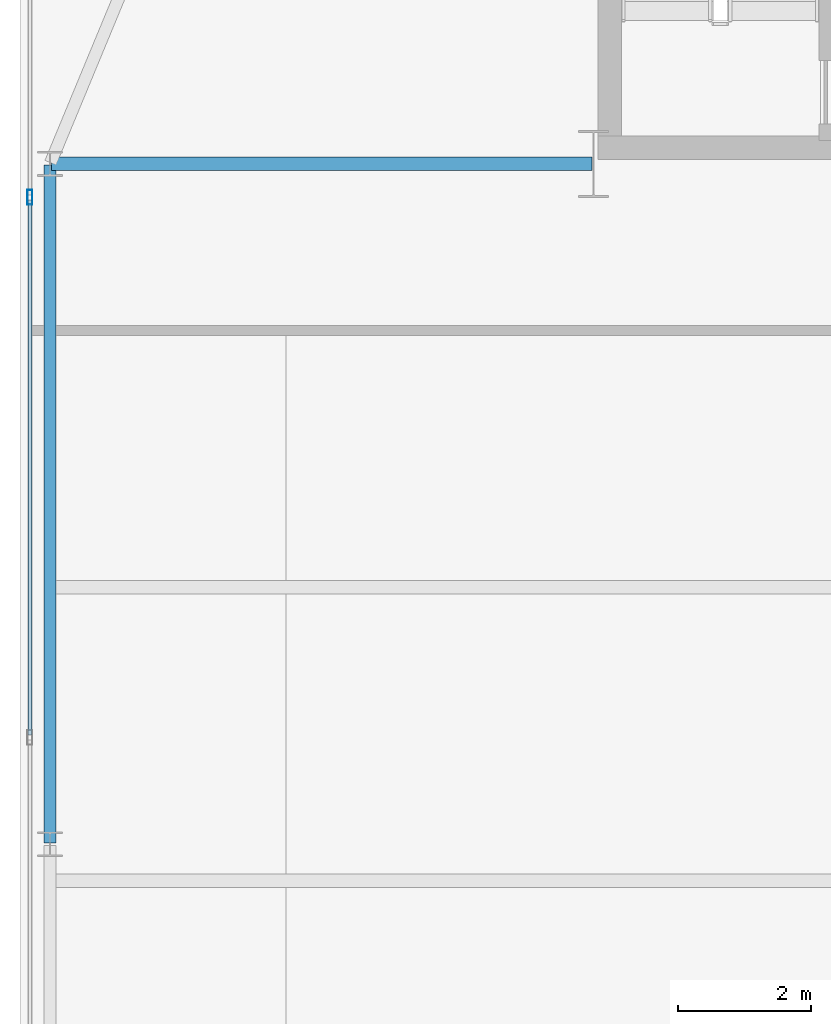
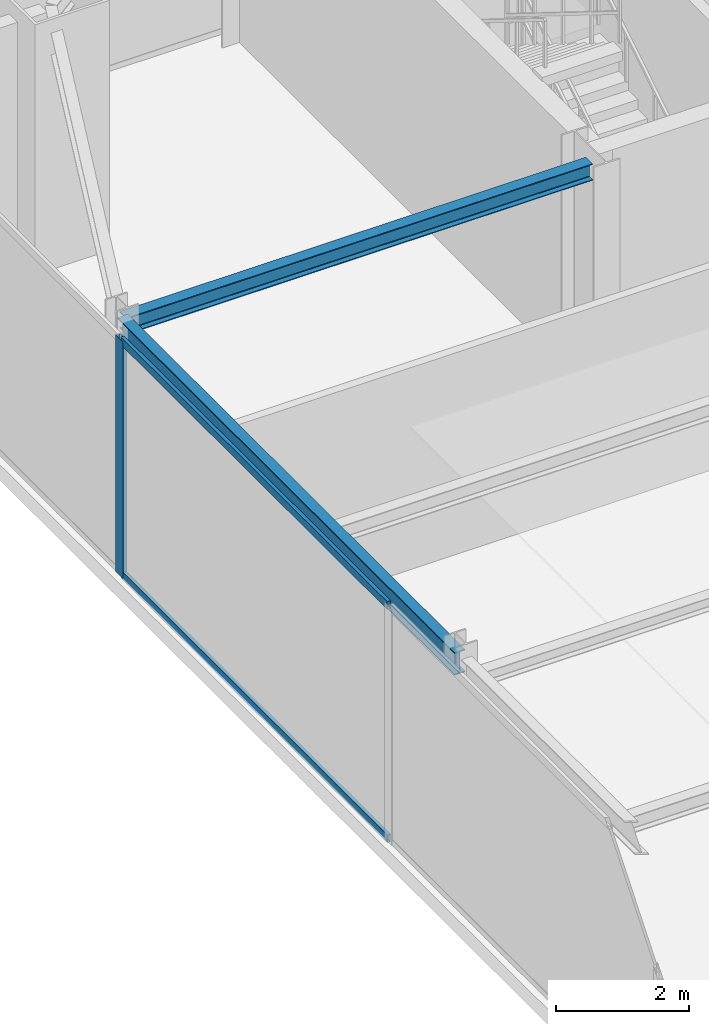
# One storey, part 11 of 25: 3 members, 2 beams, 1 element without a shape of its own.
"""IFC4 building model written with IfcOpenShell, lengths in metres."""

from ifc_helpers import new_model, si_unit, direction, frame, origin, origin_2d, place, context, subcontext, project, spatial, hollow_rectangle, i_section, extrude, source, transform, mapped, material, layer, layer_set, material_profile, profile_set, type_object, type_shapes, element, aggregate, save


model = new_model("IFC4")

# Units and contexts
model_context = context("Model", 3, precision=1e-05, world=origin(), true_north=direction((0.0, 1.0)))
body_context = subcontext(model_context, "Body", "Model", "MODEL_VIEW")
ifc_project = project(units=[si_unit("LENGTHUNIT", "METRE"), si_unit("AREAUNIT", "SQUARE_METRE"), si_unit("VOLUMEUNIT", "CUBIC_METRE"), si_unit("PLANEANGLEUNIT", "RADIAN"), si_unit("MASSUNIT", "GRAM", prefix="KILO")], contexts=[model_context])

# Site, building, storey
site_placement = place(None, origin())
site = spatial("IfcSite", under=ifc_project, at=site_placement, CompositionType="ELEMENT")
building_placement = place(site_placement, origin())
building = spatial("IfcBuilding", under=site, at=building_placement, Name="Varnel Quay Broadcast Tower", CompositionType="ELEMENT")
storey_placement = place(building_placement, frame((0.0, 0.0, 191.39990234375)))
storey = spatial("IfcBuildingStorey", under=building, at=storey_placement, Name="L47", CompositionType="ELEMENT", Elevation=191.39990234375)

# Beams
ifc_material_1 = material(Name="Structural Steel CSA G40.21 350W", Category="steel")
ifc_material_profile_1 = material_profile(ifc_material_1, i_section(OverallWidth=0.180908203125, OverallDepth=0.4169921875, WebThickness=0.010986328125, FlangeThickness=0.018310546875, FilletRadius=0.011962890625, at=origin_2d()), Name="W410X85")
ifc_profile_set_1 = profile_set([ifc_material_profile_1], Name="Structural Steel CSA G40.21 350W")
beam_type_1 = type_object("IfcBeamType", Name="Beam_W410X85", PredefinedType="SPANDREL", material=ifc_profile_set_1)
shared_shape_1 = source(origin(), body_context, "Body", "SweptSolid", [
    extrude(i_section(OverallWidth=0.180908203125, OverallDepth=0.4169921875, WebThickness=0.010986328125, FlangeThickness=0.018310546875, FilletRadius=0.011962890625, at=origin_2d()), origin(), (0.0, 0.0, 1.0), 10.16015625),
])
type_shapes(beam_type_1, [shared_shape_1])
beam_1_placement = place(storey_placement, frame((7.449951171875, 25.419921875, 4.1416015625), z_axis=(0.0, 1.0, 0.0), x_axis=(-1.0, 0.0, 0.0)))
element("IfcBeam", 1, at=beam_1_placement, inside=storey, type_object=beam_type_1, Name="L47 West Spandrel TC-W2-TC-W3", PredefinedType="SPANDREL", context=body_context, shape_type="MappedRepresentation", body=[
    mapped(shared_shape_1, transform((0.0, 0.0, 0.0), x_axis=(1.0, 0.0, 0.0), y_axis=(0.0, 1.0, 0.0), z_axis=(0.0, 0.0, 1.0), scale=1.0)),
])
ifc_material_profile_2 = material_profile(ifc_material_1, i_section(OverallWidth=0.202880859375, OverallDepth=0.302978515625, WebThickness=0.007568359375, FlangeThickness=0.01318359375, FilletRadius=0.011962890625, at=origin_2d()), Name="W310X60")
ifc_profile_set_2 = profile_set([ifc_material_profile_2], Name="Structural Steel CSA G40.21 350W")
beam_type_2 = type_object("IfcBeamType", Name="Beam_W310X60", PredefinedType="JOIST", material=ifc_profile_set_2)
shared_shape_2 = source(origin(), body_context, "Body", "SweptSolid", [
    extrude(i_section(OverallWidth=0.202880859375, OverallDepth=0.302978515625, WebThickness=0.007568359375, FlangeThickness=0.01318359375, FilletRadius=0.011962890625, at=origin_2d()), origin(), (0.0, 0.0, 1.0), 8.110107421875),
])
type_shapes(beam_type_2, [shared_shape_2])
beam_2_placement = place(storey_placement, frame((7.469970703125, 35.60009765625, 4.198486328125), z_axis=(1.0, 0.0, 0.0), x_axis=(0.0, 1.0, 0.0)))
element("IfcBeam", 2, at=beam_2_placement, inside=storey, type_object=beam_type_2, Name="L47 West Core Tie Joist", PredefinedType="JOIST", context=body_context, shape_type="MappedRepresentation", body=[
    mapped(shared_shape_2, transform((0.0, 0.0, 0.0), x_axis=(1.0, 0.0, 0.0), y_axis=(0.0, 1.0, 0.0), z_axis=(0.0, 0.0, 1.0), scale=1.0)),
])

# Curtain wall, members
ifc_material_2 = material(Name="Anodised Bronze Aluminium 6063-T6", Category="aluminium")
ifc_layer = layer(ifc_material_2, 0.18994140625, Name="Anodised Bronze Aluminium 6063-T6")
ifc_layer_set = layer_set([ifc_layer], Name="Anodised Bronze Aluminium 6063-T6")
curtain_wall_type = type_object("IfcCurtainWallType", Name="CW_SkyObsHighVis", PredefinedType="NOTDEFINED", material=ifc_layer_set)
curtain_wall_placement = place(storey_placement, origin())
curtain_wall = element("IfcCurtainWall", 3, at=curtain_wall_placement, inside=storey, type_object=curtain_wall_type, Name="L47 West Unitised Curtain Wall", PredefinedType="NOTDEFINED")
ifc_material_profile_3 = material_profile(ifc_material_2, hollow_rectangle(XDim=0.074951171875, YDim=0.219970703125, WallThickness=0.00390625, at=origin_2d()), Name="ALU75X220X4")
ifc_profile_set_3 = profile_set([ifc_material_profile_3], Name="Anodised Bronze Aluminium 6063-T6")
member_type_1 = type_object("IfcMemberType", Name="Mull_CWS-05", PredefinedType="MULLION", material=ifc_profile_set_3)
shared_shape_3 = source(origin(), body_context, "Body", "SweptSolid", [
    extrude(hollow_rectangle(XDim=0.074951171875, YDim=0.219970703125, WallThickness=0.00390625, at=origin_2d()), origin(), (0.0, 0.0, 1.0), 4.35009765625),
])
type_shapes(member_type_1, [shared_shape_3])
member_1_placement = place(storey_placement, frame((7.14990234375, 35.10009765625, 0.0), z_axis=(0.0, 0.0, 1.0), x_axis=(-1.0, 0.0, 0.0)))
member_1 = element("IfcMember", 4, at=member_1_placement, type_object=member_type_1, Name="CWS-05 mullion 4", PredefinedType="MULLION", context=body_context, shape_type="MappedRepresentation", body=[
    mapped(shared_shape_3, transform((0.0, 0.0, 0.0), x_axis=(1.0, 0.0, 0.0), y_axis=(0.0, 1.0, 0.0), z_axis=(0.0, 0.0, 1.0), scale=1.0)),
])
ifc_material_profile_4 = material_profile(ifc_material_2, hollow_rectangle(XDim=0.06005859375, YDim=0.14501953125, WallThickness=0.00341796875, at=origin_2d()), Name="ALU60X145X3.5")
ifc_profile_set_4 = profile_set([ifc_material_profile_4], Name="Anodised Bronze Aluminium 6063-T6")
member_type_2 = type_object("IfcMemberType", Name="Tran_CWS-05", PredefinedType="USERDEFINED", material=ifc_profile_set_4)
shared_shape_4 = source(origin(), body_context, "Body", "SweptSolid", [
    extrude(hollow_rectangle(XDim=0.06005859375, YDim=0.14501953125, WallThickness=0.00341796875, at=origin_2d()), origin(), (0.0, 0.0, 1.0), 8.02490234375),
])
type_shapes(member_type_2, [shared_shape_4])
member_2_placement = place(storey_placement, frame((7.14990234375, 27.03759765625, 0.030029296875), z_axis=(0.0, 1.0, 0.0), x_axis=(-1.0, 0.0, 0.0)))
member_2 = element("IfcMember", 5, at=member_2_placement, type_object=member_type_2, Name="CWS-05 transom 3.1", ObjectType="TRANSOM", PredefinedType="USERDEFINED", context=body_context, shape_type="MappedRepresentation", body=[
    mapped(shared_shape_4, transform((0.0, 0.0, 0.0), x_axis=(1.0, 0.0, 0.0), y_axis=(0.0, 1.0, 0.0), z_axis=(0.0, 0.0, 1.0), scale=1.0)),
])
member_3_placement = place(storey_placement, frame((7.14990234375, 27.03759765625, 4.320068359375), z_axis=(0.0, 1.0, 0.0), x_axis=(-1.0, 0.0, 0.0)))
member_3 = element("IfcMember", 6, at=member_3_placement, type_object=member_type_2, Name="CWS-05 transom 3.2", ObjectType="TRANSOM", PredefinedType="USERDEFINED", context=body_context, shape_type="MappedRepresentation", body=[
    mapped(shared_shape_4, transform((0.0, 0.0, 0.0), x_axis=(1.0, 0.0, 0.0), y_axis=(0.0, 1.0, 0.0), z_axis=(0.0, 0.0, 1.0), scale=1.0)),
])
aggregate(curtain_wall, [member_1, member_2, member_3])

save(model, "model.ifc")
